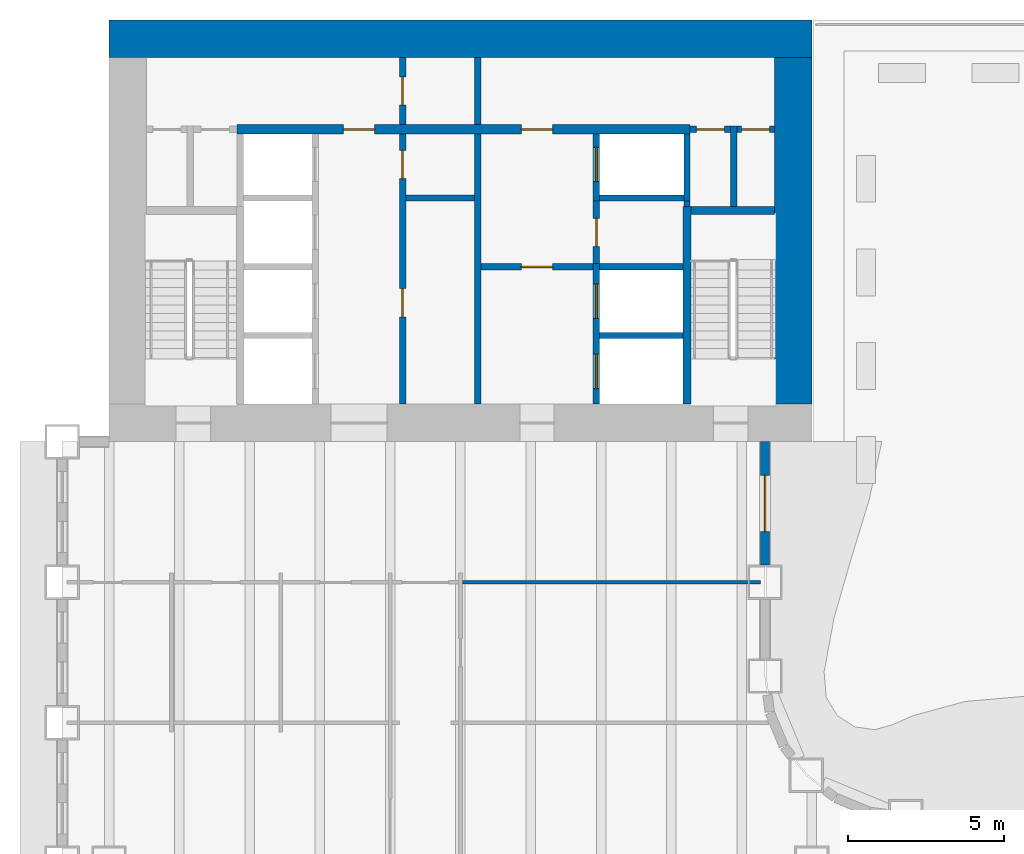
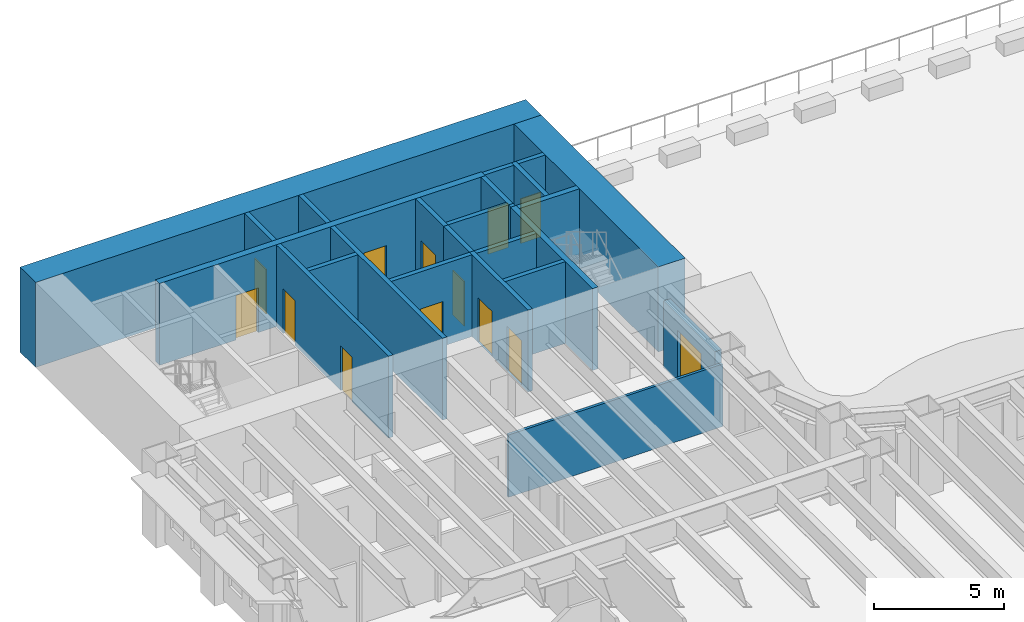
# One storey, part 8 of 18: 24 walls, 13 doors, 13 openings.
"""IFC4 building model written with IfcOpenShell, lengths in metres."""

from ifc_helpers import new_model, si_unit, direction, frame, frame_2d, origin, place, context, subcontext, project, spatial, rectangle, extrude, material, layer, layer_set, type_object, element, fill, save


model = new_model("IFC4")

# Units and contexts
model_context = context("Model", 3, precision=1e-05, world=origin(), true_north=direction((0.0, 1.0)))
body_context = subcontext(model_context, "Body", "Model", "MODEL_VIEW")
ifc_project = project(units=[si_unit("LENGTHUNIT", "METRE"), si_unit("AREAUNIT", "SQUARE_METRE"), si_unit("VOLUMEUNIT", "CUBIC_METRE"), si_unit("PLANEANGLEUNIT", "RADIAN"), si_unit("MASSUNIT", "GRAM", prefix="KILO")], contexts=[model_context])

# Site, building, storey
site_placement = place(None, origin())
site = spatial("IfcSite", under=ifc_project, at=site_placement, CompositionType="ELEMENT")
building_placement = place(site_placement, origin())
building = spatial("IfcBuilding", under=site, at=building_placement, Name="Sennacour Bend Tower", CompositionType="ELEMENT")
storey_placement = place(building_placement, frame((0.0, 0.0, 29.0)))
storey = spatial("IfcBuildingStorey", under=building, at=storey_placement, Name="L05", CompositionType="ELEMENT", Elevation=29.0)

# Walls
ifc_material_1 = material(Name="Concrete C80/95", Category="concrete")
ifc_layer_1 = layer(ifc_material_1, 1.199951171875, Name="Concrete C80/95", Category="concrete")
ifc_layer_set_1 = layer_set([ifc_layer_1], Name="Concrete C80/95")
wall_type_1 = type_object("IfcWallType", Name="Core wall 1200 C80/95", PredefinedType="SHEAR", material=ifc_layer_set_1)
wall_1_placement = place(storey_placement, frame((0.0, 48.89990234375, -0.14990234375), z_axis=(0.0, 0.0, 1.0), x_axis=(1.0, 0.0, 0.0)))
element("IfcWall", 1, at=wall_1_placement, inside=storey, type_object=wall_type_1, Name="Core B wall L05 N", PredefinedType="SHEAR", context=body_context, shape_type="SweptSolid", body=[
    extrude(rectangle(XDim=22.5, YDim=1.199951171875, at=frame_2d((11.25, 0.0))), origin(), (0.0, 0.0, 1.0), 4.0),
])
wall_2_placement = place(storey_placement, frame((21.89990234375, 37.199951171875, -0.14990234375), z_axis=(0.0, 0.0, 1.0), x_axis=(0.0, 1.0, 0.0)))
element("IfcWall", 2, at=wall_2_placement, inside=storey, type_object=wall_type_1, Name="Core B wall L05 E", PredefinedType="SHEAR", context=body_context, shape_type="SweptSolid", body=[
    extrude(rectangle(XDim=11.10009765625, YDim=1.199951171875, at=frame_2d((5.550048828125, 0.0))), origin(), (0.0, 0.0, 1.0), 4.0),
])
ifc_material_2 = material(Name="Plasterboard partition on steel studs", Category="steel")
ifc_layer_2 = layer(ifc_material_2, 0.1201171875, Name="Plasterboard partition on steel studs", Category="steel")
ifc_layer_set_2 = layer_set([ifc_layer_2], Name="Plasterboard partition on steel studs")
wall_type_2 = type_object("IfcWallType", Name="Partition 120", PredefinedType="PARTITIONING", material=ifc_layer_set_2)
wall_3_placement = place(storey_placement, frame((11.31005859375, 31.5, 0.0), z_axis=(0.0, 0.0, 1.0), x_axis=(1.0, 0.0, 0.0)))
element("IfcWall", 3, at=wall_3_placement, inside=storey, type_object=wall_type_2, Name="P-L05-W078ae", PredefinedType="PARTITIONING", context=body_context, shape_type="SweptSolid", body=[
    extrude(rectangle(XDim=9.5400390625, YDim=0.1201171875, at=frame_2d((4.77001953125, 0.0))), origin(), (0.0, 0.0, 1.0), 2.93798828125),
])

# Wall, openings, doors
ifc_material_3 = material(Name="Fire-rated plasterboard partition on steel studs", Category="steel")
ifc_layer_3 = layer(ifc_material_3, 0.199951171875, Name="Fire-rated plasterboard partition on steel studs", Category="steel")
ifc_layer_set_3 = layer_set([ifc_layer_3], Name="Fire-rated plasterboard partition on steel studs")
wall_type_3 = type_object("IfcWallType", Name="Rated partition 200", PredefinedType="PARTITIONING", material=ifc_layer_set_3)
wall_4_placement = place(storey_placement, frame((9.39990234375, 37.199951171875, 0.0), z_axis=(0.0, 0.0, 1.0), x_axis=(0.0, 1.0, 0.0)))
wall_4 = element("IfcWall", 4, at=wall_4_placement, inside=storey, type_object=wall_type_3, Name="P-L05-W014a", PredefinedType="PARTITIONING", context=body_context, shape_type="SweptSolid", body=[
    extrude(rectangle(XDim=8.650146484375, YDim=0.199951171875, at=frame_2d((4.3251953125, 0.0))), origin(), (0.0, 0.0, 1.0), 3.85009765625),
])
opening_1_placement = place(wall_4_placement, frame((2.800048828125, 0.0, 0.0)))
opening_1 = element("IfcOpeningElement", 5, at=opening_1_placement, cuts=wall_4, Name="Opening SV", PredefinedType="OPENING", context=body_context, shape_type="SweptSolid", body=[
    extrude(rectangle(XDim=0.89990234375, YDim=2.10009765625, at=frame_2d((0.449951171875, 1.050048828125))), frame((0.0, 0.10986328125, 0.0), z_axis=(0.0, -1.0, 0.0), x_axis=(1.0, 0.0, 0.0)), (0.0, 0.0, 1.0), 0.219970703125),
])
opening_2_placement = place(wall_4_placement, frame((7.22509765625, 0.0, 0.0)))
opening_2 = element("IfcOpeningElement", 6, at=opening_2_placement, cuts=wall_4, Name="Opening SV", PredefinedType="OPENING", context=body_context, shape_type="SweptSolid", body=[
    extrude(rectangle(XDim=0.89990234375, YDim=2.10009765625, at=frame_2d((0.449951171875, 1.050048828125))), frame((0.0, 0.10986328125, 0.0), z_axis=(0.0, -1.0, 0.0), x_axis=(1.0, 0.0, 0.0)), (0.0, 0.0, 1.0), 0.219970703125),
])
ifc_material_4 = material(Name="Painted steel", Category="steel")
door_type_1 = type_object("IfcDoorType", Name="DR-SERVICE-900", OperationType="NOTDEFINED", PredefinedType="DOOR", material=ifc_material_4)
door_1_placement = place(opening_1_placement, origin())
door_1 = element("IfcDoor", 7, at=door_1_placement, inside=storey, type_object=door_type_1, Name="Door", OperationType="SINGLE_SWING_LEFT", OverallHeight=2.10009765625, OverallWidth=0.89990234375, PredefinedType="DOOR", context=body_context, shape_type="SweptSolid", body=[
    extrude(rectangle(XDim=0.89990234375, YDim=2.10009765625, at=frame_2d((0.449951171875, 1.050048828125))), frame((0.0, 0.02490234375, 0.0), z_axis=(0.0, -1.0, 0.0), x_axis=(1.0, 0.0, 0.0)), (0.0, 0.0, 1.0), 0.050048828125),
])
fill(opening_1, door_1)
door_2_placement = place(opening_2_placement, origin())
door_2 = element("IfcDoor", 8, at=door_2_placement, inside=storey, type_object=door_type_1, Name="Door", OperationType="SINGLE_SWING_RIGHT", OverallHeight=2.10009765625, OverallWidth=0.89990234375, PredefinedType="DOOR", context=body_context, shape_type="SweptSolid", body=[
    extrude(rectangle(XDim=0.89990234375, YDim=2.10009765625, at=frame_2d((0.449951171875, 1.050048828125))), frame((0.0, 0.02490234375, 0.0), z_axis=(0.0, -1.0, 0.0), x_axis=(1.0, 0.0, 0.0)), (0.0, 0.0, 1.0), 0.050048828125),
])
fill(opening_2, door_2)

# Wall, opening, door
wall_5_placement = place(storey_placement, frame((9.39990234375, 46.14990234375, 0.0), z_axis=(0.0, 0.0, 1.0), x_axis=(0.0, 1.0, 0.0)))
wall_5 = element("IfcWall", 9, at=wall_5_placement, inside=storey, type_object=wall_type_3, Name="P-L05-W014b", PredefinedType="PARTITIONING", context=body_context, shape_type="SweptSolid", body=[
    extrude(rectangle(XDim=2.150146484375, YDim=0.199951171875, at=frame_2d((1.0751953125, 0.0))), origin(), (0.0, 0.0, 1.0), 3.85009765625),
])
opening_3_placement = place(wall_5_placement, frame((0.625, 0.0, 0.0)))
opening_3 = element("IfcOpeningElement", 10, at=opening_3_placement, cuts=wall_5, Name="Opening SV", PredefinedType="OPENING", context=body_context, shape_type="SweptSolid", body=[
    extrude(rectangle(XDim=0.89990234375, YDim=2.10009765625, at=frame_2d((0.449951171875, 1.050048828125))), frame((0.0, 0.10986328125, 0.0), z_axis=(0.0, -1.0, 0.0), x_axis=(1.0, 0.0, 0.0)), (0.0, 0.0, 1.0), 0.219970703125),
])
door_3_placement = place(opening_3_placement, origin())
door_3 = element("IfcDoor", 11, at=door_3_placement, inside=storey, type_object=door_type_1, Name="Door", OperationType="SINGLE_SWING_LEFT", OverallHeight=2.10009765625, OverallWidth=0.89990234375, PredefinedType="DOOR", context=body_context, shape_type="SweptSolid", body=[
    extrude(rectangle(XDim=0.89990234375, YDim=2.10009765625, at=frame_2d((0.449951171875, 1.050048828125))), frame((0.0, 0.02490234375, 0.0), z_axis=(0.0, -1.0, 0.0), x_axis=(1.0, 0.0, 0.0)), (0.0, 0.0, 1.0), 0.050048828125),
])
fill(opening_3, door_3)

# Walls
wall_6_placement = place(storey_placement, frame((11.800048828125, 37.199951171875, 0.0), z_axis=(0.0, 0.0, 1.0), x_axis=(0.0, 1.0, 0.0)))
element("IfcWall", 12, at=wall_6_placement, inside=storey, type_object=wall_type_3, Name="P-L05-W016a", PredefinedType="PARTITIONING", context=body_context, shape_type="SweptSolid", body=[
    extrude(rectangle(XDim=8.650146484375, YDim=0.199951171875, at=frame_2d((4.3251953125, 0.0))), origin(), (0.0, 0.0, 1.0), 3.85009765625),
])
wall_7_placement = place(storey_placement, frame((11.800048828125, 46.14990234375, 0.0), z_axis=(0.0, 0.0, 1.0), x_axis=(0.0, 1.0, 0.0)))
element("IfcWall", 13, at=wall_7_placement, inside=storey, type_object=wall_type_3, Name="P-L05-W016b", PredefinedType="PARTITIONING", context=body_context, shape_type="SweptSolid", body=[
    extrude(rectangle(XDim=2.150146484375, YDim=0.199951171875, at=frame_2d((1.0751953125, 0.0))), origin(), (0.0, 0.0, 1.0), 3.85009765625),
])

# Wall, opening, door
wall_8_placement = place(storey_placement, frame((15.60009765625, 41.699951171875, 0.0), z_axis=(0.0, 0.0, 1.0), x_axis=(0.0, 1.0, 0.0)))
wall_8 = element("IfcWall", 14, at=wall_8_placement, inside=storey, type_object=wall_type_3, Name="P-L05-W019", PredefinedType="PARTITIONING", context=body_context, shape_type="SweptSolid", body=[
    extrude(rectangle(XDim=2.0, YDim=0.199951171875, at=frame_2d((1.0, 0.0))), origin(), (0.0, 0.0, 1.0), 3.85009765625),
])
opening_4_placement = place(wall_8_placement, frame((0.550048828125, 0.0, 0.0)))
opening_4 = element("IfcOpeningElement", 15, at=opening_4_placement, cuts=wall_8, Name="Opening SV", PredefinedType="OPENING", context=body_context, shape_type="SweptSolid", body=[
    extrude(rectangle(XDim=0.89990234375, YDim=2.10009765625, at=frame_2d((0.449951171875, 1.050048828125))), frame((0.0, 0.10986328125, 0.0), z_axis=(0.0, -1.0, 0.0), x_axis=(1.0, 0.0, 0.0)), (0.0, 0.0, 1.0), 0.219970703125),
])
door_4_placement = place(opening_4_placement, origin())
door_4 = element("IfcDoor", 16, at=door_4_placement, inside=storey, type_object=door_type_1, Name="Door", OperationType="SINGLE_SWING_RIGHT", OverallHeight=2.10009765625, OverallWidth=0.89990234375, PredefinedType="DOOR", context=body_context, shape_type="SweptSolid", body=[
    extrude(rectangle(XDim=0.89990234375, YDim=2.10009765625, at=frame_2d((0.449951171875, 1.050048828125))), frame((0.0, 0.02490234375, 0.0), z_axis=(0.0, -1.0, 0.0), x_axis=(1.0, 0.0, 0.0)), (0.0, 0.0, 1.0), 0.050048828125),
])
fill(opening_4, door_4)

# Walls
wall_9_placement = place(storey_placement, frame((18.5, 43.52490234375, 0.0), z_axis=(0.0, 0.0, 1.0), x_axis=(0.0, 1.0, 0.0)))
element("IfcWall", 17, at=wall_9_placement, inside=storey, type_object=wall_type_3, Name="P-L05-W022", PredefinedType="PARTITIONING", context=body_context, shape_type="SweptSolid", body=[
    extrude(rectangle(XDim=0.175048828125, YDim=0.199951171875, at=frame_2d((0.08740234375, 0.0))), origin(), (0.0, 0.0, 1.0), 3.85009765625),
])
wall_10_placement = place(storey_placement, frame((20.0, 43.52490234375, 0.0), z_axis=(0.0, 0.0, 1.0), x_axis=(0.0, 1.0, 0.0)))
element("IfcWall", 18, at=wall_10_placement, inside=storey, type_object=wall_type_3, Name="P-L05-W024", PredefinedType="PARTITIONING", context=body_context, shape_type="SweptSolid", body=[
    extrude(rectangle(XDim=2.5751953125, YDim=0.199951171875, at=frame_2d((1.28759765625, 0.0))), origin(), (0.0, 0.0, 1.0), 3.85009765625),
])
wall_11_placement = place(storey_placement, frame((9.5, 43.800048828125, 0.0), z_axis=(0.0, 0.0, 1.0), x_axis=(1.0, 0.0, 0.0)))
element("IfcWall", 19, at=wall_11_placement, inside=storey, type_object=wall_type_3, Name="P-L05-W088", PredefinedType="PARTITIONING", context=body_context, shape_type="SweptSolid", body=[
    extrude(rectangle(XDim=2.199951171875, YDim=0.199951171875, at=frame_2d((1.10009765625, 0.0))), origin(), (0.0, 0.0, 1.0), 3.85009765625),
])

# Wall, opening, door
wall_12_placement = place(storey_placement, frame((18.60009765625, 46.0, 0.0), z_axis=(0.0, 0.0, 1.0), x_axis=(1.0, 0.0, 0.0)))
wall_12 = element("IfcWall", 20, at=wall_12_placement, inside=storey, type_object=wall_type_3, Name="P-L05-W092a", PredefinedType="PARTITIONING", context=body_context, shape_type="SweptSolid", body=[
    extrude(rectangle(XDim=1.2998046875, YDim=0.199951171875, at=frame_2d((0.64990234375, 0.0))), origin(), (0.0, 0.0, 1.0), 3.85009765625),
])
opening_5_placement = place(wall_12_placement, frame((0.199951171875, 0.0, 0.0)))
opening_5 = element("IfcOpeningElement", 21, at=opening_5_placement, cuts=wall_12, Name="Opening SV", PredefinedType="OPENING", context=body_context, shape_type="SweptSolid", body=[
    extrude(rectangle(XDim=0.89990234375, YDim=2.10009765625, at=frame_2d((0.449951171875, 1.050048828125))), frame((0.0, 0.10986328125, 0.0), z_axis=(0.0, -1.0, 0.0), x_axis=(1.0, 0.0, 0.0)), (0.0, 0.0, 1.0), 0.219970703125),
])
door_5_placement = place(opening_5_placement, origin())
door_5 = element("IfcDoor", 22, at=door_5_placement, inside=storey, type_object=door_type_1, Name="Door", OperationType="SINGLE_SWING_LEFT", OverallHeight=2.10009765625, OverallWidth=0.89990234375, PredefinedType="DOOR", context=body_context, shape_type="SweptSolid", body=[
    extrude(rectangle(XDim=0.89990234375, YDim=2.10009765625, at=frame_2d((0.449951171875, 1.050048828125))), frame((0.0, 0.02490234375, 0.0), z_axis=(0.0, -1.0, 0.0), x_axis=(1.0, 0.0, 0.0)), (0.0, 0.0, 1.0), 0.050048828125),
])
fill(opening_5, door_5)

wall_13_placement = place(storey_placement, frame((20.10009765625, 46.0, 0.0), z_axis=(0.0, 0.0, 1.0), x_axis=(1.0, 0.0, 0.0)))
wall_13 = element("IfcWall", 23, at=wall_13_placement, inside=storey, type_object=wall_type_3, Name="P-L05-W092b", PredefinedType="PARTITIONING", context=body_context, shape_type="SweptSolid", body=[
    extrude(rectangle(XDim=1.199951171875, YDim=0.199951171875, at=frame_2d((0.60009765625, 0.0))), origin(), (0.0, 0.0, 1.0), 3.85009765625),
])
opening_6_placement = place(wall_13_placement, frame((0.14990234375, 0.0, 0.0)))
opening_6 = element("IfcOpeningElement", 24, at=opening_6_placement, cuts=wall_13, Name="Opening SV", PredefinedType="OPENING", context=body_context, shape_type="SweptSolid", body=[
    extrude(rectangle(XDim=0.89990234375, YDim=2.10009765625, at=frame_2d((0.449951171875, 1.050048828125))), frame((0.0, 0.10986328125, 0.0), z_axis=(0.0, -1.0, 0.0), x_axis=(1.0, 0.0, 0.0)), (0.0, 0.0, 1.0), 0.219970703125),
])
door_6_placement = place(opening_6_placement, origin())
door_6 = element("IfcDoor", 25, at=door_6_placement, inside=storey, type_object=door_type_1, Name="Door", OperationType="SINGLE_SWING_LEFT", OverallHeight=2.10009765625, OverallWidth=0.89990234375, PredefinedType="DOOR", context=body_context, shape_type="SweptSolid", body=[
    extrude(rectangle(XDim=0.89990234375, YDim=2.10009765625, at=frame_2d((0.449951171875, 1.050048828125))), frame((0.0, 0.02490234375, 0.0), z_axis=(0.0, -1.0, 0.0), x_axis=(1.0, 0.0, 0.0)), (0.0, 0.0, 1.0), 0.050048828125),
])
fill(opening_6, door_6)

ifc_layer_4 = layer(ifc_material_3, 0.199951171875, Name="Fire-rated plasterboard partition on steel studs", Category="steel")
ifc_layer_set_4 = layer_set([ifc_layer_4], Name="Fire-rated plasterboard partition on steel studs")
wall_type_4 = type_object("IfcWallType", Name="Rated partition 200 EI 90", PredefinedType="PARTITIONING", material=ifc_layer_set_4)
wall_14_placement = place(storey_placement, frame((11.89990234375, 41.60009765625, 0.0), z_axis=(0.0, 0.0, 1.0), x_axis=(1.0, 0.0, 0.0)))
wall_14 = element("IfcWall", 26, at=wall_14_placement, inside=storey, type_object=wall_type_4, Name="P-L05-W083", PredefinedType="PARTITIONING", context=body_context, shape_type="SweptSolid", body=[
    extrude(rectangle(XDim=3.60009765625, YDim=0.199951171875, at=frame_2d((1.800048828125, 0.0))), origin(), (0.0, 0.0, 1.0), 3.85009765625),
])
opening_7_placement = place(wall_14_placement, frame((1.300048828125, 0.0, 0.0)))
opening_7 = element("IfcOpeningElement", 27, at=opening_7_placement, cuts=wall_14, Name="Opening FD2", PredefinedType="OPENING", context=body_context, shape_type="SweptSolid", body=[
    extrude(rectangle(XDim=1.0, YDim=2.10009765625, at=frame_2d((0.5, 1.050048828125))), frame((0.0, 0.10986328125, 0.0), z_axis=(0.0, -1.0, 0.0), x_axis=(1.0, 0.0, 0.0)), (0.0, 0.0, 1.0), 0.219970703125),
])
door_type_2 = type_object("IfcDoorType", Name="DR-FFL-1000", OperationType="NOTDEFINED", PredefinedType="DOOR", material=ifc_material_4)
door_7_placement = place(opening_7_placement, origin())
door_7 = element("IfcDoor", 28, at=door_7_placement, inside=storey, type_object=door_type_2, Name="Door", OperationType="SINGLE_SWING_LEFT", OverallHeight=2.10009765625, OverallWidth=1.0, PredefinedType="DOOR", context=body_context, shape_type="SweptSolid", body=[
    extrude(rectangle(XDim=1.0, YDim=2.10009765625, at=frame_2d((0.5, 1.050048828125))), frame((0.0, 0.02490234375, 0.0), z_axis=(0.0, -1.0, 0.0), x_axis=(1.0, 0.0, 0.0)), (0.0, 0.0, 1.0), 0.050048828125),
])
fill(opening_7, door_7)

ifc_material_5 = material(Name="Warm limestone cladding", Category="masonry")
ifc_layer_5 = layer(ifc_material_5, 0.050048828125, Name="Warm limestone cladding", Category="masonry")
ifc_material_6 = material(Name="Precast concrete C40/50", Category="concrete")
ifc_layer_6 = layer(ifc_material_6, 0.25, Name="Precast concrete C40/50", Category="concrete")
ifc_layer_set_5 = layer_set([ifc_layer_5, ifc_layer_6], Name="Precast concrete C40/50 with limestone cladding")
wall_type_5 = type_object("IfcWallType", Name="STONE-CLAD PRECAST SPANDREL 300", PredefinedType="STANDARD", material=ifc_layer_set_5)
wall_15_placement = place(storey_placement, frame((21.0, 32.050048828125, 0.0), z_axis=(0.0, 0.0, 1.0), x_axis=(0.0, 1.0, 0.0)))
wall_15 = element("IfcWall", 29, at=wall_15_placement, inside=storey, type_object=wall_type_5, Name="Stone spandrel and pier wall L05 15.01", PredefinedType="STANDARD", context=body_context, shape_type="SweptSolid", body=[
    extrude(rectangle(XDim=3.949951171875, YDim=0.300048828125, at=frame_2d((1.97509765625, 0.0))), origin(), (0.0, 0.0, 1.0), 3.14404296875),
])
opening_8_placement = place(wall_15_placement, frame((1.074951171875, 0.0, 0.0)))
opening_8 = element("IfcOpeningElement", 30, at=opening_8_placement, cuts=wall_15, Name="Opening TD1", PredefinedType="OPENING", context=body_context, shape_type="SweptSolid", body=[
    extrude(rectangle(XDim=1.800048828125, YDim=2.39990234375, at=frame_2d((0.89990234375, 1.199951171875))), frame((0.0, 0.16015625, 0.0), z_axis=(0.0, -1.0, 0.0), x_axis=(1.0, 0.0, 0.0)), (0.0, 0.0, 1.0), 0.320068359375),
])
ifc_material_7 = material(Name="Aluminium framed glazed door", Category="aluminium")
door_type_3 = type_object("IfcDoorType", Name="DR-TERRACE-1800x2400", OperationType="DOUBLE_DOOR_SINGLE_SWING", PredefinedType="DOOR", material=ifc_material_7)
door_8_placement = place(opening_8_placement, origin())
door_8 = element("IfcDoor", 31, at=door_8_placement, inside=storey, type_object=door_type_3, Name="Terrace door L05 15.01", OperationType="DOUBLE_DOOR_SINGLE_SWING", OverallHeight=2.39990234375, OverallWidth=1.800048828125, PredefinedType="DOOR", context=body_context, shape_type="SweptSolid", body=[
    extrude(rectangle(XDim=1.800048828125, YDim=2.39990234375, at=frame_2d((0.89990234375, 1.199951171875))), frame((0.0, 0.02490234375, 0.0), z_axis=(0.0, -1.0, 0.0), x_axis=(1.0, 0.0, 0.0)), (0.0, 0.0, 1.0), 0.050048828125),
])
fill(opening_8, door_8)

# Wall, openings, doors
ifc_material_8 = material(Name="Concrete C50/60", Category="concrete")
ifc_layer_7 = layer(ifc_material_8, 0.199951171875, Name="Concrete C50/60", Category="concrete")
ifc_layer_set_6 = layer_set([ifc_layer_7], Name="Concrete C50/60")
wall_type_6 = type_object("IfcWallType", Name="Shaft wall 200", PredefinedType="SOLIDWALL", material=ifc_layer_set_6)
wall_16_placement = place(storey_placement, frame((15.60009765625, 37.199951171875, 0.0), z_axis=(0.0, 0.0, 1.0), x_axis=(0.0, 1.0, 0.0)))
wall_16 = element("IfcWall", 32, at=wall_16_placement, inside=storey, type_object=wall_type_6, Name="P-L05-W018", PredefinedType="SOLIDWALL", context=body_context, shape_type="SweptSolid", body=[
    extrude(rectangle(XDim=4.5, YDim=0.199951171875, at=frame_2d((2.25, 0.0))), origin(), (0.0, 0.0, 1.0), 3.85009765625),
])
opening_9_placement = place(wall_16_placement, frame((0.5, 0.0, 0.011962890625)))
opening_9 = element("IfcOpeningElement", 33, at=opening_9_placement, cuts=wall_16, Name="Opening FLD", PredefinedType="OPENING", context=body_context, shape_type="SweptSolid", body=[
    extrude(rectangle(XDim=1.10009765625, YDim=2.10009765625, at=frame_2d((0.550048828125, 1.050048828125))), frame((0.0, 0.10986328125, 0.0), z_axis=(0.0, -1.0, 0.0), x_axis=(1.0, 0.0, 0.0)), (0.0, 0.0, 1.0), 0.219970703125),
])
opening_10_placement = place(wall_16_placement, frame((2.75, 0.0, 0.011962890625)))
opening_10 = element("IfcOpeningElement", 34, at=opening_10_placement, cuts=wall_16, Name="Opening FLD", PredefinedType="OPENING", context=body_context, shape_type="SweptSolid", body=[
    extrude(rectangle(XDim=1.10009765625, YDim=2.10009765625, at=frame_2d((0.550048828125, 1.050048828125))), frame((0.0, 0.10986328125, 0.0), z_axis=(0.0, -1.0, 0.0), x_axis=(1.0, 0.0, 0.0)), (0.0, 0.0, 1.0), 0.219970703125),
])
ifc_material_9 = material(Name="Stainless steel", Category="steel")
door_type_4 = type_object("IfcDoorType", Name="DR-FF-LANDING-1100", OperationType="NOTDEFINED", PredefinedType="DOOR", material=ifc_material_9)
door_9_placement = place(opening_9_placement, origin())
door_9 = element("IfcDoor", 35, at=door_9_placement, inside=storey, type_object=door_type_4, Name="Fire service lift landing door FB1", OperationType="SLIDING_TO_LEFT", OverallHeight=2.10009765625, OverallWidth=1.10009765625, PredefinedType="DOOR", context=body_context, shape_type="SweptSolid", body=[
    extrude(rectangle(XDim=1.10009765625, YDim=2.10009765625, at=frame_2d((0.550048828125, 1.050048828125))), frame((0.0, 0.02490234375, 0.0), z_axis=(0.0, -1.0, 0.0), x_axis=(1.0, 0.0, 0.0)), (0.0, 0.0, 1.0), 0.050048828125),
])
fill(opening_9, door_9)
door_10_placement = place(opening_10_placement, origin())
door_10 = element("IfcDoor", 36, at=door_10_placement, inside=storey, type_object=door_type_4, Name="Fire service lift landing door FB2", OperationType="SLIDING_TO_RIGHT", OverallHeight=2.10009765625, OverallWidth=1.10009765625, PredefinedType="DOOR", context=body_context, shape_type="SweptSolid", body=[
    extrude(rectangle(XDim=1.10009765625, YDim=2.10009765625, at=frame_2d((0.550048828125, 1.050048828125))), frame((0.0, 0.02490234375, 0.0), z_axis=(0.0, -1.0, 0.0), x_axis=(1.0, 0.0, 0.0)), (0.0, 0.0, 1.0), 0.050048828125),
])
fill(opening_10, door_10)

# Wall, opening, door
wall_17_placement = place(storey_placement, frame((15.60009765625, 43.699951171875, 0.0), z_axis=(0.0, 0.0, 1.0), x_axis=(0.0, 1.0, 0.0)))
wall_17 = element("IfcWall", 37, at=wall_17_placement, inside=storey, type_object=wall_type_6, Name="P-L05-W020", PredefinedType="SOLIDWALL", context=body_context, shape_type="SweptSolid", body=[
    extrude(rectangle(XDim=2.150146484375, YDim=0.199951171875, at=frame_2d((1.0751953125, 0.0))), origin(), (0.0, 0.0, 1.0), 3.85009765625),
])
opening_11_placement = place(wall_17_placement, frame((0.625, 0.0, 0.011962890625)))
opening_11 = element("IfcOpeningElement", 38, at=opening_11_placement, cuts=wall_17, Name="Opening LD", PredefinedType="OPENING", context=body_context, shape_type="SweptSolid", body=[
    extrude(rectangle(XDim=1.10009765625, YDim=2.10009765625, at=frame_2d((0.550048828125, 1.050048828125))), frame((0.0, 0.10986328125, 0.0), z_axis=(0.0, -1.0, 0.0), x_axis=(1.0, 0.0, 0.0)), (0.0, 0.0, 1.0), 0.219970703125),
])
door_type_5 = type_object("IfcDoorType", Name="DR-LANDING-1100", OperationType="NOTDEFINED", PredefinedType="DOOR", material=ifc_material_9)
door_11_placement = place(opening_11_placement, origin())
door_11 = element("IfcDoor", 39, at=door_11_placement, inside=storey, type_object=door_type_5, Name="Lift landing door LB5", OperationType="SLIDING_TO_LEFT", OverallHeight=2.10009765625, OverallWidth=1.10009765625, PredefinedType="DOOR", context=body_context, shape_type="SweptSolid", body=[
    extrude(rectangle(XDim=1.10009765625, YDim=2.10009765625, at=frame_2d((0.550048828125, 1.050048828125))), frame((0.0, 0.02490234375, 0.0), z_axis=(0.0, -1.0, 0.0), x_axis=(1.0, 0.0, 0.0)), (0.0, 0.0, 1.0), 0.050048828125),
])
fill(opening_11, door_11)

# Walls
wall_18_placement = place(storey_placement, frame((18.5, 43.699951171875, 0.0), z_axis=(0.0, 0.0, 1.0), x_axis=(0.0, 1.0, 0.0)))
element("IfcWall", 40, at=wall_18_placement, inside=storey, type_object=wall_type_6, Name="P-L05-W023", PredefinedType="SOLIDWALL", context=body_context, shape_type="SweptSolid", body=[
    extrude(rectangle(XDim=2.150146484375, YDim=0.199951171875, at=frame_2d((1.0751953125, 0.0))), origin(), (0.0, 0.0, 1.0), 3.85009765625),
])
for number, where, z_axis, x_axis, name in (
    (41, (15.699951171875, 39.39990234375, 0.0), (0.0, 0.0, 1.0), (1.0, 0.0, 0.0), "P-L05-W081"),
    (42, (15.699951171875, 41.60009765625, 0.0), (0.0, 0.0, 1.0), (1.0, 0.0, 0.0), "P-L05-W084"),
):
    element("IfcWall", number, at=place(storey_placement, frame(where, z_axis=z_axis, x_axis=x_axis)), inside=storey, type_object=wall_type_6, Name=name, PredefinedType="SOLIDWALL", context=body_context, shape_type="SweptSolid", body=[
        extrude(rectangle(XDim=2.675048828125, YDim=0.199951171875, at=frame_2d((1.33740234375, 0.0))), origin(), (0.0, 0.0, 1.0), 3.85009765625),
    ])
wall_19_placement = place(storey_placement, frame((15.699951171875, 43.800048828125, 0.0), z_axis=(0.0, 0.0, 1.0), x_axis=(1.0, 0.0, 0.0)))
element("IfcWall", 43, at=wall_19_placement, inside=storey, type_object=wall_type_6, Name="P-L05-W089", PredefinedType="SOLIDWALL", context=body_context, shape_type="SweptSolid", body=[
    extrude(rectangle(XDim=2.699951171875, YDim=0.199951171875, at=frame_2d((1.35009765625, 0.0))), origin(), (0.0, 0.0, 1.0), 3.85009765625),
])

# Wall, openings, doors
ifc_material_10 = material(Name="Concrete C60/75", Category="concrete")
ifc_layer_8 = layer(ifc_material_10, 0.300048828125, Name="Concrete C60/75", Category="concrete")
ifc_layer_set_7 = layer_set([ifc_layer_8], Name="Concrete C60/75")
wall_type_7 = type_object("IfcWallType", Name="Spine wall 300", PredefinedType="SHEAR", material=ifc_layer_set_7)
wall_20_placement = place(storey_placement, frame((4.10009765625, 46.0, 0.0), z_axis=(0.0, 0.0, 1.0), x_axis=(1.0, 0.0, 0.0)))
wall_20 = element("IfcWall", 44, at=wall_20_placement, inside=storey, type_object=wall_type_7, Name="P-L05-W091", PredefinedType="SHEAR", context=body_context, shape_type="SweptSolid", body=[
    extrude(rectangle(XDim=14.5, YDim=0.300048828125, at=frame_2d((7.25, 0.0))), origin(), (0.0, 0.0, 1.0), 3.85009765625),
])
opening_12_placement = place(wall_20_placement, frame((3.39990234375, 0.0, 0.0)))
opening_12 = element("IfcOpeningElement", 45, at=opening_12_placement, cuts=wall_20, Name="Opening CD2", PredefinedType="OPENING", context=body_context, shape_type="SweptSolid", body=[
    extrude(rectangle(XDim=1.0, YDim=2.10009765625, at=frame_2d((0.5, 1.050048828125))), frame((0.0, 0.16015625, 0.0), z_axis=(0.0, -1.0, 0.0), x_axis=(1.0, 0.0, 0.0)), (0.0, 0.0, 1.0), 0.320068359375),
])
opening_13_placement = place(wall_20_placement, frame((9.099853515625, 0.0, 0.0)))
opening_13 = element("IfcOpeningElement", 46, at=opening_13_placement, cuts=wall_20, Name="Opening CD2", PredefinedType="OPENING", context=body_context, shape_type="SweptSolid", body=[
    extrude(rectangle(XDim=1.0, YDim=2.10009765625, at=frame_2d((0.5, 1.050048828125))), frame((0.0, 0.16015625, 0.0), z_axis=(0.0, -1.0, 0.0), x_axis=(1.0, 0.0, 0.0)), (0.0, 0.0, 1.0), 0.320068359375),
])
door_type_6 = type_object("IfcDoorType", Name="DR-LOBBY-1000", OperationType="NOTDEFINED", PredefinedType="DOOR", material=ifc_material_4)
door_12_placement = place(opening_12_placement, origin())
door_12 = element("IfcDoor", 47, at=door_12_placement, inside=storey, type_object=door_type_6, Name="Door", OperationType="SINGLE_SWING_LEFT", OverallHeight=2.10009765625, OverallWidth=1.0, PredefinedType="DOOR", context=body_context, shape_type="SweptSolid", body=[
    extrude(rectangle(XDim=1.0, YDim=2.10009765625, at=frame_2d((0.5, 1.050048828125))), frame((0.0, 0.02490234375, 0.0), z_axis=(0.0, -1.0, 0.0), x_axis=(1.0, 0.0, 0.0)), (0.0, 0.0, 1.0), 0.050048828125),
])
fill(opening_12, door_12)
door_13_placement = place(opening_13_placement, origin())
door_13 = element("IfcDoor", 48, at=door_13_placement, inside=storey, type_object=door_type_6, Name="Door", OperationType="SINGLE_SWING_RIGHT", OverallHeight=2.10009765625, OverallWidth=1.0, PredefinedType="DOOR", context=body_context, shape_type="SweptSolid", body=[
    extrude(rectangle(XDim=1.0, YDim=2.10009765625, at=frame_2d((0.5, 1.050048828125))), frame((0.0, 0.02490234375, 0.0), z_axis=(0.0, -1.0, 0.0), x_axis=(1.0, 0.0, 0.0)), (0.0, 0.0, 1.0), 0.050048828125),
])
fill(opening_13, door_13)

# Walls
ifc_layer_9 = layer(ifc_material_10, 0.25, Name="Concrete C60/75", Category="concrete")
ifc_layer_set_8 = layer_set([ifc_layer_9], Name="Concrete C60/75")
wall_type_8 = type_object("IfcWallType", Name="Stair wall 250", PredefinedType="SHEAR", material=ifc_layer_set_8)
wall_21_placement = place(storey_placement, frame((18.5, 37.199951171875, 0.0), z_axis=(0.0, 0.0, 1.0), x_axis=(0.0, 1.0, 0.0)))
element("IfcWall", 49, at=wall_21_placement, inside=storey, type_object=wall_type_8, Name="P-L05-W021", PredefinedType="SHEAR", context=body_context, shape_type="SweptSolid", body=[
    extrude(rectangle(XDim=6.324951171875, YDim=0.25, at=frame_2d((3.16259765625, 0.0))), origin(), (0.0, 0.0, 1.0), 3.85009765625),
])
wall_22_placement = place(storey_placement, frame((18.625, 43.39990234375, 0.0), z_axis=(0.0, 0.0, 1.0), x_axis=(1.0, 0.0, 0.0)))
element("IfcWall", 50, at=wall_22_placement, inside=storey, type_object=wall_type_8, Name="P-L05-W086", PredefinedType="SHEAR", context=body_context, shape_type="SweptSolid", body=[
    extrude(rectangle(XDim=2.675048828125, YDim=0.25, at=frame_2d((1.33740234375, 0.0))), origin(), (0.0, 0.0, 1.0), 3.85009765625),
])

save(model, "model.ifc")
